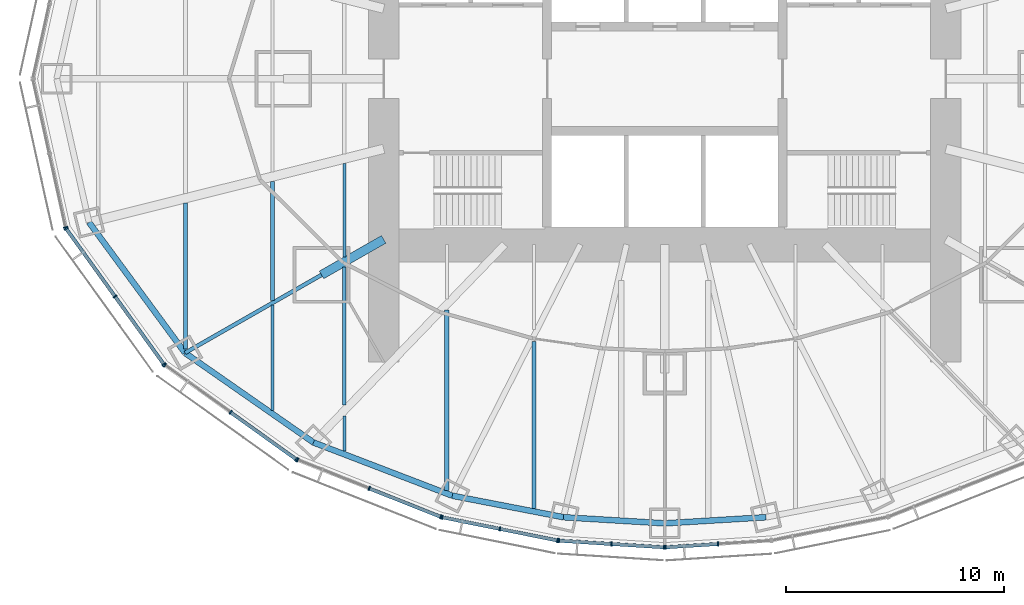
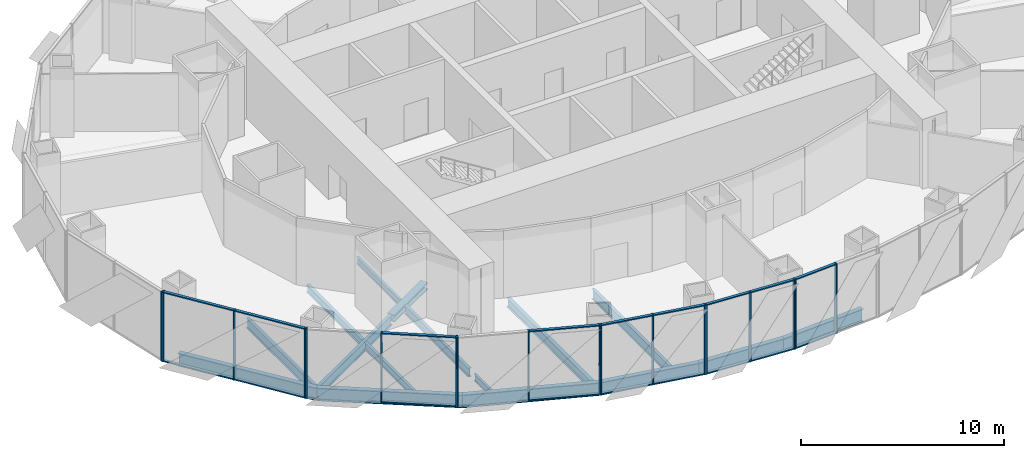
# One storey, part 2 of 18: 36 members, 16 beams, 7 elements without a shape of their own.
"""IFC4 building model written with IfcOpenShell, lengths in metres."""

from ifc_helpers import new_model, si_unit, direction, frame, origin, origin_2d, place, context, subcontext, project, spatial, rectangle, i_section, extrude, material, material_profile, profile_set, type_object, element, aggregate, save


model = new_model("IFC4")

# Units and contexts
model_context = context("Model", 3, precision=1e-05, world=origin(), true_north=direction((0.0, 1.0)))
body_context = subcontext(model_context, "Body", "Model", "MODEL_VIEW")
ifc_project = project(units=[si_unit("LENGTHUNIT", "METRE"), si_unit("AREAUNIT", "SQUARE_METRE"), si_unit("VOLUMEUNIT", "CUBIC_METRE"), si_unit("PLANEANGLEUNIT", "RADIAN"), si_unit("MASSUNIT", "GRAM", prefix="KILO")], contexts=[model_context])

# Site, building, storey
site_placement = place(None, origin())
site = spatial("IfcSite", under=ifc_project, at=site_placement, CompositionType="ELEMENT")
building_placement = place(site_placement, origin())
building = spatial("IfcBuilding", under=site, at=building_placement, Name="Lantaw Convention Tower", CompositionType="ELEMENT")
storey_placement = place(building_placement, frame((0.0, 0.0, 134.199951171875)))
storey = spatial("IfcBuildingStorey", under=building, at=storey_placement, Name="L31", CompositionType="ELEMENT", Elevation=134.199951171875)

# Beams
ifc_material_1 = material(Name="Steel ASTM A992", Category="steel")
ifc_material_profile_1 = material_profile(ifc_material_1, i_section(OverallWidth=0.2666015625, OverallDepth=0.76953125, WebThickness=0.015625, FlangeThickness=0.025390625, FilletRadius=0.0126953125, at=origin_2d()), Name="W30X132")
ifc_profile_set_1 = profile_set([ifc_material_profile_1], Name="Steel ASTM A992")
beam_type_1 = type_object("IfcBeamType", Name="Beam E W30X132", PredefinedType="SPANDREL", material=ifc_profile_set_1)
beam_1_placement = place(storey_placement, frame((-26.419921875, -6.587158203125, -0.53466796875), z_axis=(0.5923891972, -0.805651934176, 0.0), x_axis=(0.805651934176, 0.5923891972, 0.0)))
element("IfcBeam", 1, at=beam_1_placement, inside=storey, type_object=beam_type_1, Name="Edge beam 14", PredefinedType="SPANDREL", context=body_context, shape_type="SweptSolid", body=[
    extrude(i_section(OverallWidth=0.2666015625, OverallDepth=0.76953125, WebThickness=0.015625, FlangeThickness=0.025390625, FilletRadius=0.0126953125, at=origin_2d()), origin(), (0.0, 0.0, 1.0), 7.437744140625),
])
beam_2_placement = place(storey_placement, frame((-22.013916015625, -12.579345703125, -0.53466796875), z_axis=(0.820310765287, -0.57191804339, 0.0), x_axis=(0.57191804339, 0.820310765287, 0.0)))
element("IfcBeam", 2, at=beam_2_placement, inside=storey, type_object=beam_type_1, Name="Edge beam 15", PredefinedType="SPANDREL", context=body_context, shape_type="SweptSolid", body=[
    extrude(i_section(OverallWidth=0.2666015625, OverallDepth=0.76953125, WebThickness=0.015625, FlangeThickness=0.025390625, FilletRadius=0.0126953125, at=origin_2d()), origin(), (0.0, 0.0, 1.0), 7.187744140625),
])
beam_3_placement = place(storey_placement, frame((-16.11767578125, -16.690185546875, -0.53466796875), z_axis=(0.933691081977, -0.358079549033, 0.0), x_axis=(0.358079549033, 0.933691081977, 0.0)))
element("IfcBeam", 3, at=beam_3_placement, inside=storey, type_object=beam_type_1, Name="Edge beam 16", PredefinedType="SPANDREL", context=body_context, shape_type="SweptSolid", body=[
    extrude(i_section(OverallWidth=0.2666015625, OverallDepth=0.76953125, WebThickness=0.015625, FlangeThickness=0.025390625, FilletRadius=0.0126953125, at=origin_2d()), origin(), (0.0, 0.0, 1.0), 6.821533203125),
])
beam_4_placement = place(storey_placement, frame((-9.74853515625, -19.1328125, -0.53466796875), z_axis=(0.981796805654, -0.189934284446, 0.0), x_axis=(0.189934284446, 0.981796805654, 0.0)))
element("IfcBeam", 4, at=beam_4_placement, inside=storey, type_object=beam_type_1, Name="Edge beam 17", PredefinedType="SPANDREL", context=body_context, shape_type="SweptSolid", body=[
    extrude(i_section(OverallWidth=0.2666015625, OverallDepth=0.76953125, WebThickness=0.015625, FlangeThickness=0.025390625, FilletRadius=0.0126953125, at=origin_2d()), origin(), (0.0, 0.0, 1.0), 5.1982421875),
])
for number, where, z_axis, x_axis, name in (
    (5, (-4.64501953125, -20.1201171875, -0.53466796875), (0.998190892054, -0.06012439621, 0.0), (0.06012439621, 0.998190892054, 0.0), "Edge beam 18"),
    (6, (0.0, -20.39990234375, -0.53466796875), (0.998190892054, 0.06012439621, 0.0), (-0.06012439621, 0.998190892054, 0.0), "Edge beam 19"),
):
    element("IfcBeam", number, at=place(storey_placement, frame(where, z_axis=z_axis, x_axis=x_axis)), inside=storey, type_object=beam_type_1, Name=name, PredefinedType="SPANDREL", context=body_context, shape_type="SweptSolid", body=[
        extrude(i_section(OverallWidth=0.2666015625, OverallDepth=0.76953125, WebThickness=0.015625, FlangeThickness=0.025390625, FilletRadius=0.0126953125, at=origin_2d()), origin(), (0.0, 0.0, 1.0), 4.6533203125),
    ])
ifc_material_profile_2 = material_profile(ifc_material_1, i_section(OverallWidth=0.177978515625, OverallDepth=0.599365234375, WebThickness=0.010009765625, FlangeThickness=0.012939453125, FilletRadius=0.012939453125, at=origin_2d()), Name="W24X55")
ifc_profile_set_2 = profile_set([ifc_material_profile_2], Name="Steel ASTM A992")
beam_type_2 = type_object("IfcBeamType", Name="Beam G W24X55", PredefinedType="BEAM", material=ifc_profile_set_2)
beam_5_placement = place(storey_placement, frame((-15.75, -9.0, -0.44970703125), z_axis=(-0.868245224608, -0.496135293993, 0.0), x_axis=(0.496135293993, -0.868245224608, 0.0)))
element("IfcBeam", 7, at=beam_5_placement, inside=storey, type_object=beam_type_2, Name="Floor girder on ray 15", PredefinedType="BEAM", context=body_context, shape_type="SweptSolid", body=[
    extrude(i_section(OverallWidth=0.177978515625, OverallDepth=0.599365234375, WebThickness=0.010009765625, FlangeThickness=0.012939453125, FilletRadius=0.012939453125, at=origin_2d()), origin(), (0.0, 0.0, 1.0), 7.21435546875),
])
ifc_material_profile_3 = material_profile(ifc_material_1, i_section(OverallWidth=0.40380859375, OverallDepth=0.406494140625, WebThickness=0.027099609375, FlangeThickness=0.043701171875, FilletRadius=0.01513671875, at=origin_2d()), Name="W14X233")
ifc_profile_set_3 = profile_set([ifc_material_profile_3], Name="Steel ASTM A992")
beam_type_3 = type_object("IfcBeamType", Name="Beam GM W14X233", PredefinedType="BEAM", material=ifc_profile_set_3)
beam_6_placement = place(storey_placement, frame((-12.89990234375, -7.371337890625, -0.353271484375), z_axis=(-0.868238565244, -0.496146947811, 0.0), x_axis=(0.496146947811, -0.868238565244, 0.0)))
element("IfcBeam", 8, at=beam_6_placement, inside=storey, type_object=beam_type_3, Name="Core link beam on ray 15", PredefinedType="BEAM", context=body_context, shape_type="SweptSolid", body=[
    extrude(i_section(OverallWidth=0.40380859375, OverallDepth=0.406494140625, WebThickness=0.027099609375, FlangeThickness=0.043701171875, FilletRadius=0.01513671875, at=origin_2d()), origin(), (0.0, 0.0, 1.0), 3.28271484375),
])
ifc_material_profile_4 = material_profile(ifc_material_1, i_section(OverallWidth=0.140380859375, OverallDepth=0.40380859375, WebThickness=0.007080078125, FlangeThickness=0.01123046875, FilletRadius=0.01025390625, at=origin_2d()), Name="W16X31")
ifc_profile_set_4 = profile_set([ifc_material_profile_4], Name="Steel ASTM A992")
beam_type_4 = type_object("IfcBeamType", Name="Beam J W16X31", PredefinedType="JOIST", material=ifc_profile_set_4)
beam_7_placement = place(storey_placement, frame((-14.699951171875, -17.091064453125, -0.351806640625), z_axis=(0.0, 1.0, 0.0), x_axis=(-1.0, 0.0, 0.0)))
element("IfcBeam", 9, at=beam_7_placement, inside=storey, type_object=beam_type_4, Name="Floor joist", PredefinedType="JOIST", context=body_context, shape_type="SweptSolid", body=[
    extrude(i_section(OverallWidth=0.140380859375, OverallDepth=0.40380859375, WebThickness=0.007080078125, FlangeThickness=0.01123046875, FilletRadius=0.01025390625, at=origin_2d()), origin(), (0.0, 0.0, 1.0), 1.609130859375),
])
beam_8_placement = place(storey_placement, frame((-14.699951171875, -8.16748046875, -0.351806640625), z_axis=(0.0, 1.0, 0.0), x_axis=(-1.0, 0.0, 0.0)))
element("IfcBeam", 10, at=beam_8_placement, inside=storey, type_object=beam_type_4, Name="Floor joist", PredefinedType="JOIST", context=body_context, shape_type="SweptSolid", body=[
    extrude(i_section(OverallWidth=0.140380859375, OverallDepth=0.40380859375, WebThickness=0.007080078125, FlangeThickness=0.01123046875, FilletRadius=0.01025390625, at=origin_2d()), origin(), (0.0, 0.0, 1.0), 4.28515625),
])
ifc_material_profile_5 = material_profile(ifc_material_1, i_section(OverallWidth=0.15234375, OverallDepth=0.449462890625, WebThickness=0.007568359375, FlangeThickness=0.0107421875, FilletRadius=0.01025390625, at=origin_2d()), Name="W18X35")
ifc_profile_set_5 = profile_set([ifc_material_profile_5], Name="Steel ASTM A992")
beam_type_5 = type_object("IfcBeamType", Name="Beam J W18X35", PredefinedType="JOIST", material=ifc_profile_set_5)
beam_9_placement = place(storey_placement, frame((-18.0, -15.21533203125, -0.374755859375), z_axis=(0.0, 1.0, 0.0), x_axis=(-1.0, 0.0, 0.0)))
element("IfcBeam", 11, at=beam_9_placement, inside=storey, type_object=beam_type_5, Name="Floor joist", PredefinedType="JOIST", context=body_context, shape_type="SweptSolid", body=[
    extrude(i_section(OverallWidth=0.15234375, OverallDepth=0.449462890625, WebThickness=0.007568359375, FlangeThickness=0.0107421875, FilletRadius=0.01025390625, at=origin_2d()), origin(), (0.0, 0.0, 1.0), 4.8271484375),
])
ifc_material_profile_6 = material_profile(ifc_material_1, i_section(OverallWidth=0.1904296875, OverallDepth=0.457275390625, WebThickness=0.009033203125, FlangeThickness=0.014404296875, FilletRadius=0.01025390625, at=origin_2d()), Name="W18X50")
ifc_profile_set_6 = profile_set([ifc_material_profile_6], Name="Steel ASTM A992")
beam_type_6 = type_object("IfcBeamType", Name="Beam J W18X50", PredefinedType="JOIST", material=ifc_profile_set_6)
beam_10_placement = place(storey_placement, frame((-18.0, -10.18310546875, -0.378662109375), z_axis=(0.0, 1.0, 0.0), x_axis=(-1.0, 0.0, 0.0)))
element("IfcBeam", 12, at=beam_10_placement, inside=storey, type_object=beam_type_6, Name="Floor joist", PredefinedType="JOIST", context=body_context, shape_type="SweptSolid", body=[
    extrude(i_section(OverallWidth=0.1904296875, OverallDepth=0.457275390625, WebThickness=0.009033203125, FlangeThickness=0.014404296875, FilletRadius=0.01025390625, at=origin_2d()), origin(), (0.0, 0.0, 1.0), 5.47802734375),
])
ifc_material_profile_7 = material_profile(ifc_material_1, i_section(OverallWidth=0.1650390625, OverallDepth=0.52587890625, WebThickness=0.0087890625, FlangeThickness=0.011474609375, FilletRadius=0.0126953125, at=origin_2d()), Name="W21X44")
ifc_profile_set_7 = profile_set([ifc_material_profile_7], Name="Steel ASTM A992")
beam_type_7 = type_object("IfcBeamType", Name="Beam J W21X44", PredefinedType="JOIST", material=ifc_profile_set_7)
beam_11_placement = place(storey_placement, frame((-14.699951171875, -14.962646484375, -0.412841796875), z_axis=(0.0, 1.0, 0.0), x_axis=(-1.0, 0.0, 0.0)))
element("IfcBeam", 13, at=beam_11_placement, inside=storey, type_object=beam_type_7, Name="Floor joist", PredefinedType="JOIST", context=body_context, shape_type="SweptSolid", body=[
    extrude(i_section(OverallWidth=0.1650390625, OverallDepth=0.52587890625, WebThickness=0.0087890625, FlangeThickness=0.011474609375, FilletRadius=0.0126953125, at=origin_2d()), origin(), (0.0, 0.0, 1.0), 6.330078125),
])
ifc_material_profile_8 = material_profile(ifc_material_1, i_section(OverallWidth=0.2099609375, OverallDepth=0.535888671875, WebThickness=0.010986328125, FlangeThickness=0.017333984375, FilletRadius=0.012939453125, at=origin_2d()), Name="W21X68")
ifc_profile_set_8 = profile_set([ifc_material_profile_8], Name="Steel ASTM A992")
beam_type_8 = type_object("IfcBeamType", Name="Beam J W21X68", PredefinedType="JOIST", material=ifc_profile_set_8)
beam_12_placement = place(storey_placement, frame((-10.0, -18.8935546875, -0.41796875), z_axis=(0.0, 1.0, 0.0), x_axis=(-1.0, 0.0, 0.0)))
element("IfcBeam", 14, at=beam_12_placement, inside=storey, type_object=beam_type_8, Name="Floor joist", PredefinedType="JOIST", context=body_context, shape_type="SweptSolid", body=[
    extrude(i_section(OverallWidth=0.2099609375, OverallDepth=0.535888671875, WebThickness=0.010986328125, FlangeThickness=0.017333984375, FilletRadius=0.012939453125, at=origin_2d()), origin(), (0.0, 0.0, 1.0), 8.278564453125),
])
ifc_material_profile_9 = material_profile(ifc_material_1, i_section(OverallWidth=0.177978515625, OverallDepth=0.599365234375, WebThickness=0.010009765625, FlangeThickness=0.012939453125, FilletRadius=0.012939453125, at=origin_2d()), Name="W24X55")
ifc_profile_set_9 = profile_set([ifc_material_profile_9], Name="Steel ASTM A992")
beam_type_9 = type_object("IfcBeamType", Name="Beam J W24X55", PredefinedType="JOIST", material=ifc_profile_set_9)
beam_13_placement = place(storey_placement, frame((-22.0, -12.408935546875, -0.44970703125), z_axis=(0.0, 1.0, 0.0), x_axis=(-1.0, 0.0, 0.0)))
element("IfcBeam", 15, at=beam_13_placement, inside=storey, type_object=beam_type_9, Name="Floor joist", PredefinedType="JOIST", context=body_context, shape_type="SweptSolid", body=[
    extrude(i_section(OverallWidth=0.177978515625, OverallDepth=0.599365234375, WebThickness=0.010009765625, FlangeThickness=0.012939453125, FilletRadius=0.012939453125, at=origin_2d()), origin(), (0.0, 0.0, 1.0), 6.70654296875),
])
beam_14_placement = place(storey_placement, frame((-6.0, -19.72216796875, -0.44970703125), z_axis=(0.0, 1.0, 0.0), x_axis=(-1.0, 0.0, 0.0)))
element("IfcBeam", 16, at=beam_14_placement, inside=storey, type_object=beam_type_9, Name="Floor joist", PredefinedType="JOIST", context=body_context, shape_type="SweptSolid", body=[
    extrude(i_section(OverallWidth=0.177978515625, OverallDepth=0.599365234375, WebThickness=0.010009765625, FlangeThickness=0.012939453125, FilletRadius=0.012939453125, at=origin_2d()), origin(), (0.0, 0.0, 1.0), 7.666748046875),
])

# Curtain wall, member
ifc_material_2 = material(Name="Aluminium framed curtain wall", Category="aluminium")
curtain_wall_type = type_object("IfcCurtainWallType", Name="Office curtain wall low rise, pale aluminium", PredefinedType="USERDEFINED", material=ifc_material_2)
curtain_wall_1_placement = place(storey_placement, origin())
curtain_wall_1 = element("IfcCurtainWall", 17, at=curtain_wall_1_placement, inside=storey, type_object=curtain_wall_type, Name="Office curtain wall low rise, pale aluminium L31", ObjectType="UNITISED CURTAIN WALL", PredefinedType="USERDEFINED")
ifc_material_3 = material(Name="Aluminium 6063-T6", Category="aluminium")
ifc_material_profile_10 = material_profile(ifc_material_3, rectangle(XDim=0.199951171875, YDim=0.06494140625, at=origin_2d()), Name="CW-O1 mullion 65x200")
ifc_profile_set_10 = profile_set([ifc_material_profile_10], Name="Aluminium 6063-T6")
member_type_1 = type_object("IfcMemberType", Name="CW-O1 mullion 65x200", PredefinedType="MULLION", material=ifc_profile_set_10)
member_1_placement = place(storey_placement, frame((-27.494140625, -6.821533203125, -0.14990234375), z_axis=(0.0, 0.0, 1.0), x_axis=(0.9764936509, 0.215546166174, 0.0)))
member_1 = element("IfcMember", 18, at=member_1_placement, type_object=member_type_1, Name="CW-O1 mullion 3", PredefinedType="MULLION", context=body_context, shape_type="SweptSolid", body=[
    extrude(rectangle(XDim=0.199951171875, YDim=0.06494140625, at=origin_2d()), origin(), (0.0, 0.0, 1.0), 4.199951171875),
])
aggregate(curtain_wall_1, [member_1])

# Curtain wall, members
curtain_wall_2_placement = place(storey_placement, origin())
curtain_wall_2 = element("IfcCurtainWall", 19, at=curtain_wall_2_placement, inside=storey, type_object=curtain_wall_type, Name="Office curtain wall low rise, pale aluminium L31", ObjectType="UNITISED CURTAIN WALL", PredefinedType="USERDEFINED")
member_2_placement = place(storey_placement, frame((-27.46826171875, -6.879638671875, -0.14990234375), z_axis=(0.0, 0.0, 1.0), x_axis=(0.811384633629, 0.584512597221, 0.0)))
member_2 = element("IfcMember", 20, at=member_2_placement, type_object=member_type_1, Name="CW-O1 mullion 1", PredefinedType="MULLION", context=body_context, shape_type="SweptSolid", body=[
    extrude(rectangle(XDim=0.199951171875, YDim=0.06494140625, at=origin_2d()), origin(), (0.0, 0.0, 1.0), 4.199951171875),
])
member_3_placement = place(storey_placement, frame((-25.22802734375, -9.9892578125, -0.14990234375), z_axis=(0.0, 0.0, 1.0), x_axis=(0.811384633629, 0.584512597221, 0.0)))
member_3 = element("IfcMember", 21, at=member_3_placement, type_object=member_type_1, Name="CW-O1 mullion 2", PredefinedType="MULLION", context=body_context, shape_type="SweptSolid", body=[
    extrude(rectangle(XDim=0.199951171875, YDim=0.06494140625, at=origin_2d()), origin(), (0.0, 0.0, 1.0), 4.199951171875),
])
member_4_placement = place(storey_placement, frame((-22.988037109375, -13.098876953125, -0.14990234375), z_axis=(0.0, 0.0, 1.0), x_axis=(0.811384633629, 0.584512597221, 0.0)))
member_4 = element("IfcMember", 22, at=member_4_placement, type_object=member_type_1, Name="CW-O1 mullion 3", PredefinedType="MULLION", context=body_context, shape_type="SweptSolid", body=[
    extrude(rectangle(XDim=0.199951171875, YDim=0.06494140625, at=origin_2d()), origin(), (0.0, 0.0, 1.0), 4.199951171875),
])

curtain_wall_3_placement = place(storey_placement, origin())
curtain_wall_3 = element("IfcCurtainWall", 23, at=curtain_wall_3_placement, inside=storey, type_object=curtain_wall_type, Name="Office curtain wall low rise, pale aluminium L31", ObjectType="UNITISED CURTAIN WALL", PredefinedType="USERDEFINED")
member_5_placement = place(storey_placement, frame((-22.942626953125, -13.14404296875, -0.14990234375), z_axis=(0.0, 0.0, 1.0), x_axis=(0.581972695693, 0.813208325995, 0.0)))
member_5 = element("IfcMember", 24, at=member_5_placement, type_object=member_type_1, Name="CW-O1 mullion 1", PredefinedType="MULLION", context=body_context, shape_type="SweptSolid", body=[
    extrude(rectangle(XDim=0.199951171875, YDim=0.06494140625, at=origin_2d()), origin(), (0.0, 0.0, 1.0), 4.199951171875),
])
member_6_placement = place(storey_placement, frame((-19.92529296875, -15.303466796875, -0.14990234375), z_axis=(0.0, 0.0, 1.0), x_axis=(0.581972695693, 0.813208325995, 0.0)))
member_6 = element("IfcMember", 25, at=member_6_placement, type_object=member_type_1, Name="CW-O1 mullion 2", PredefinedType="MULLION", context=body_context, shape_type="SweptSolid", body=[
    extrude(rectangle(XDim=0.199951171875, YDim=0.06494140625, at=origin_2d()), origin(), (0.0, 0.0, 1.0), 4.199951171875),
])
member_7_placement = place(storey_placement, frame((-16.908203125, -17.462646484375, -0.14990234375), z_axis=(0.0, 0.0, 1.0), x_axis=(0.581972695693, 0.813208325995, 0.0)))
member_7 = element("IfcMember", 26, at=member_7_placement, type_object=member_type_1, Name="CW-O1 mullion 3", PredefinedType="MULLION", context=body_context, shape_type="SweptSolid", body=[
    extrude(rectangle(XDim=0.199951171875, YDim=0.06494140625, at=origin_2d()), origin(), (0.0, 0.0, 1.0), 4.199951171875),
])

curtain_wall_4_placement = place(storey_placement, origin())
curtain_wall_4 = element("IfcCurtainWall", 27, at=curtain_wall_4_placement, inside=storey, type_object=curtain_wall_type, Name="Office curtain wall low rise, pale aluminium L31", ObjectType="UNITISED CURTAIN WALL", PredefinedType="USERDEFINED")
member_8_placement = place(storey_placement, frame((-16.8515625, -17.49365234375, -0.14990234375), z_axis=(0.0, 0.0, 1.0), x_axis=(0.368701907483, 0.929547687544, 0.0)))
member_8 = element("IfcMember", 28, at=member_8_placement, type_object=member_type_1, Name="CW-O1 mullion 1", PredefinedType="MULLION", context=body_context, shape_type="SweptSolid", body=[
    extrude(rectangle(XDim=0.199951171875, YDim=0.06494140625, at=origin_2d()), origin(), (0.0, 0.0, 1.0), 4.199951171875),
])
member_9_placement = place(storey_placement, frame((-13.56494140625, -18.797119140625, -0.14990234375), z_axis=(0.0, 0.0, 1.0), x_axis=(0.368701907483, 0.929547687544, 0.0)))
member_9 = element("IfcMember", 29, at=member_9_placement, type_object=member_type_1, Name="CW-O1 mullion 2", PredefinedType="MULLION", context=body_context, shape_type="SweptSolid", body=[
    extrude(rectangle(XDim=0.199951171875, YDim=0.06494140625, at=origin_2d()), origin(), (0.0, 0.0, 1.0), 4.199951171875),
])
member_10_placement = place(storey_placement, frame((-10.2783203125, -20.100830078125, -0.14990234375), z_axis=(0.0, 0.0, 1.0), x_axis=(0.368701907483, 0.929547687544, 0.0)))
member_10 = element("IfcMember", 30, at=member_10_placement, type_object=member_type_1, Name="CW-O1 mullion 3", PredefinedType="MULLION", context=body_context, shape_type="SweptSolid", body=[
    extrude(rectangle(XDim=0.199951171875, YDim=0.06494140625, at=origin_2d()), origin(), (0.0, 0.0, 1.0), 4.199951171875),
])

curtain_wall_5_placement = place(storey_placement, origin())
curtain_wall_5 = element("IfcCurtainWall", 31, at=curtain_wall_5_placement, inside=storey, type_object=curtain_wall_type, Name="Office curtain wall low rise, pale aluminium L31", ObjectType="UNITISED CURTAIN WALL", PredefinedType="USERDEFINED")
member_11_placement = place(storey_placement, frame((-10.216064453125, -20.119140625, -0.14990234375), z_axis=(0.0, 0.0, 1.0), x_axis=(0.197506809659, 0.980301514912, 0.0)))
member_11 = element("IfcMember", 32, at=member_11_placement, type_object=member_type_1, Name="CW-O1 mullion 1", PredefinedType="MULLION", context=body_context, shape_type="SweptSolid", body=[
    extrude(rectangle(XDim=0.199951171875, YDim=0.06494140625, at=origin_2d()), origin(), (0.0, 0.0, 1.0), 4.199951171875),
])
member_12_placement = place(storey_placement, frame((-7.5703125, -20.65234375, -0.14990234375), z_axis=(0.0, 0.0, 1.0), x_axis=(0.197506809659, 0.980301514912, 0.0)))
member_12 = element("IfcMember", 33, at=member_12_placement, type_object=member_type_1, Name="CW-O1 mullion 2", PredefinedType="MULLION", context=body_context, shape_type="SweptSolid", body=[
    extrude(rectangle(XDim=0.199951171875, YDim=0.06494140625, at=origin_2d()), origin(), (0.0, 0.0, 1.0), 4.199951171875),
])
member_13_placement = place(storey_placement, frame((-4.92431640625, -21.185302734375, -0.14990234375), z_axis=(0.0, 0.0, 1.0), x_axis=(0.197506809659, 0.980301514912, 0.0)))
member_13 = element("IfcMember", 34, at=member_13_placement, type_object=member_type_1, Name="CW-O1 mullion 3", PredefinedType="MULLION", context=body_context, shape_type="SweptSolid", body=[
    extrude(rectangle(XDim=0.199951171875, YDim=0.06494140625, at=origin_2d()), origin(), (0.0, 0.0, 1.0), 4.199951171875),
])

curtain_wall_6_placement = place(storey_placement, origin())
curtain_wall_6 = element("IfcCurtainWall", 35, at=curtain_wall_6_placement, inside=storey, type_object=curtain_wall_type, Name="Office curtain wall low rise, pale aluminium L31", ObjectType="UNITISED CURTAIN WALL", PredefinedType="USERDEFINED")
member_14_placement = place(storey_placement, frame((-4.860107421875, -21.19384765625, -0.14990234375), z_axis=(0.0, 0.0, 1.0), x_axis=(0.062865059466, 0.998022035978, 0.0)))
member_14 = element("IfcMember", 36, at=member_14_placement, type_object=member_type_1, Name="CW-O1 mullion 1", PredefinedType="MULLION", context=body_context, shape_type="SweptSolid", body=[
    extrude(rectangle(XDim=0.199951171875, YDim=0.06494140625, at=origin_2d()), origin(), (0.0, 0.0, 1.0), 4.199951171875),
])
member_15_placement = place(storey_placement, frame((-2.4462890625, -21.345947265625, -0.14990234375), z_axis=(0.0, 0.0, 1.0), x_axis=(0.062865059466, 0.998022035978, 0.0)))
member_15 = element("IfcMember", 37, at=member_15_placement, type_object=member_type_1, Name="CW-O1 mullion 2", PredefinedType="MULLION", context=body_context, shape_type="SweptSolid", body=[
    extrude(rectangle(XDim=0.199951171875, YDim=0.06494140625, at=origin_2d()), origin(), (0.0, 0.0, 1.0), 4.199951171875),
])
member_16_placement = place(storey_placement, frame((-0.032470703125, -21.498046875, -0.14990234375), z_axis=(0.0, 0.0, 1.0), x_axis=(0.062865059466, 0.998022035978, 0.0)))
member_16 = element("IfcMember", 38, at=member_16_placement, type_object=member_type_1, Name="CW-O1 mullion 3", PredefinedType="MULLION", context=body_context, shape_type="SweptSolid", body=[
    extrude(rectangle(XDim=0.199951171875, YDim=0.06494140625, at=origin_2d()), origin(), (0.0, 0.0, 1.0), 4.199951171875),
])

curtain_wall_7_placement = place(storey_placement, origin())
curtain_wall_7 = element("IfcCurtainWall", 39, at=curtain_wall_7_placement, inside=storey, type_object=curtain_wall_type, Name="Office curtain wall low rise, pale aluminium L31", ObjectType="UNITISED CURTAIN WALL", PredefinedType="USERDEFINED")
member_17_placement = place(storey_placement, frame((0.032470703125, -21.498046875, -0.14990234375), z_axis=(0.0, 0.0, 1.0), x_axis=(-0.062865059466, 0.998022035978, 0.0)))
member_17 = element("IfcMember", 40, at=member_17_placement, type_object=member_type_1, Name="CW-O1 mullion 1", PredefinedType="MULLION", context=body_context, shape_type="SweptSolid", body=[
    extrude(rectangle(XDim=0.199951171875, YDim=0.06494140625, at=origin_2d()), origin(), (0.0, 0.0, 1.0), 4.199951171875),
])
member_18_placement = place(storey_placement, frame((2.4462890625, -21.345947265625, -0.14990234375), z_axis=(0.0, 0.0, 1.0), x_axis=(-0.062865059466, 0.998022035978, 0.0)))
member_18 = element("IfcMember", 41, at=member_18_placement, type_object=member_type_1, Name="CW-O1 mullion 2", PredefinedType="MULLION", context=body_context, shape_type="SweptSolid", body=[
    extrude(rectangle(XDim=0.199951171875, YDim=0.06494140625, at=origin_2d()), origin(), (0.0, 0.0, 1.0), 4.199951171875),
])

# Member
ifc_material_profile_11 = material_profile(ifc_material_3, rectangle(XDim=0.159912109375, YDim=0.06494140625, at=origin_2d()), Name="CW-O1 transom 65x160")
ifc_profile_set_11 = profile_set([ifc_material_profile_11], Name="Aluminium 6063-T6")
member_type_2 = type_object("IfcMemberType", Name="CW-O1 transom 65x160", PredefinedType="USERDEFINED", material=ifc_profile_set_11)
member_19_placement = place(storey_placement, frame((-27.44921875, -6.906005859375, -0.117431640625), z_axis=(0.584512973979, -0.811384362217, 0.0), x_axis=(0.811384362217, 0.584512973979, 0.0)))
member_19 = element("IfcMember", 42, at=member_19_placement, type_object=member_type_2, Name="CW-O1 transom 1.1", ObjectType="TRANSOM", PredefinedType="USERDEFINED", context=body_context, shape_type="SweptSolid", body=[
    extrude(rectangle(XDim=0.159912109375, YDim=0.06494140625, at=origin_2d()), origin(), (0.0, 0.0, 1.0), 3.767578125),
])

member_20_placement = place(storey_placement, frame((-27.44921875, -6.906005859375, 4.017578125), z_axis=(0.584512973979, -0.811384362217, 0.0), x_axis=(0.811384362217, 0.584512973979, 0.0)))
member_20 = element("IfcMember", 43, at=member_20_placement, type_object=member_type_2, Name="CW-O1 transom 1.2", ObjectType="TRANSOM", PredefinedType="USERDEFINED", context=body_context, shape_type="SweptSolid", body=[
    extrude(rectangle(XDim=0.159912109375, YDim=0.06494140625, at=origin_2d()), origin(), (0.0, 0.0, 1.0), 3.767578125),
])

member_21_placement = place(storey_placement, frame((-25.209228515625, -10.015625, -0.117431640625), z_axis=(0.584512973979, -0.811384362217, 0.0), x_axis=(0.811384362217, 0.584512973979, 0.0)))
member_21 = element("IfcMember", 44, at=member_21_placement, type_object=member_type_2, Name="CW-O1 transom 2.1", ObjectType="TRANSOM", PredefinedType="USERDEFINED", context=body_context, shape_type="SweptSolid", body=[
    extrude(rectangle(XDim=0.159912109375, YDim=0.06494140625, at=origin_2d()), origin(), (0.0, 0.0, 1.0), 3.767578125),
])

member_22_placement = place(storey_placement, frame((-25.209228515625, -10.015625, 4.017578125), z_axis=(0.584512973979, -0.811384362217, 0.0), x_axis=(0.811384362217, 0.584512973979, 0.0)))
member_22 = element("IfcMember", 45, at=member_22_placement, type_object=member_type_2, Name="CW-O1 transom 2.2", ObjectType="TRANSOM", PredefinedType="USERDEFINED", context=body_context, shape_type="SweptSolid", body=[
    extrude(rectangle(XDim=0.159912109375, YDim=0.06494140625, at=origin_2d()), origin(), (0.0, 0.0, 1.0), 3.767578125),
])

aggregate(curtain_wall_2, [member_2, member_3, member_4, member_19, member_20, member_21, member_22])

member_23_placement = place(storey_placement, frame((-19.89892578125, -15.322265625, -0.117431640625), z_axis=(0.813190089133, -0.581998177777, 0.0), x_axis=(0.581998177777, 0.813190089133, 0.0)))
member_23 = element("IfcMember", 46, at=member_23_placement, type_object=member_type_2, Name="CW-O1 transom 2.1", ObjectType="TRANSOM", PredefinedType="USERDEFINED", context=body_context, shape_type="SweptSolid", body=[
    extrude(rectangle(XDim=0.159912109375, YDim=0.06494140625, at=origin_2d()), origin(), (0.0, 0.0, 1.0), 3.645263671875),
])

member_24_placement = place(storey_placement, frame((-19.89892578125, -15.322265625, 4.017578125), z_axis=(0.813190089133, -0.581998177777, 0.0), x_axis=(0.581998177777, 0.813190089133, 0.0)))
member_24 = element("IfcMember", 47, at=member_24_placement, type_object=member_type_2, Name="CW-O1 transom 2.2", ObjectType="TRANSOM", PredefinedType="USERDEFINED", context=body_context, shape_type="SweptSolid", body=[
    extrude(rectangle(XDim=0.159912109375, YDim=0.06494140625, at=origin_2d()), origin(), (0.0, 0.0, 1.0), 3.645263671875),
])

aggregate(curtain_wall_3, [member_5, member_6, member_7, member_23, member_24])

member_25_placement = place(storey_placement, frame((-13.53466796875, -18.80908203125, -0.117431640625), z_axis=(0.929540081544, -0.368721082668, 0.0), x_axis=(0.368721082668, 0.929540081544, 0.0)))
member_25 = element("IfcMember", 48, at=member_25_placement, type_object=member_type_2, Name="CW-O1 transom 2.1", ObjectType="TRANSOM", PredefinedType="USERDEFINED", context=body_context, shape_type="SweptSolid", body=[
    extrude(rectangle(XDim=0.159912109375, YDim=0.06494140625, at=origin_2d()), origin(), (0.0, 0.0, 1.0), 3.470947265625),
])

member_26_placement = place(storey_placement, frame((-13.53466796875, -18.80908203125, 4.017578125), z_axis=(0.929540081544, -0.368721082668, 0.0), x_axis=(0.368721082668, 0.929540081544, 0.0)))
member_26 = element("IfcMember", 49, at=member_26_placement, type_object=member_type_2, Name="CW-O1 transom 2.2", ObjectType="TRANSOM", PredefinedType="USERDEFINED", context=body_context, shape_type="SweptSolid", body=[
    extrude(rectangle(XDim=0.159912109375, YDim=0.06494140625, at=origin_2d()), origin(), (0.0, 0.0, 1.0), 3.470947265625),
])

aggregate(curtain_wall_4, [member_8, member_9, member_10, member_25, member_26])

member_27_placement = place(storey_placement, frame((-10.184326171875, -20.125732421875, -0.117431640625), z_axis=(0.980301643003, -0.197506173891, 0.0), x_axis=(0.197506173891, 0.980301643003, 0.0)))
member_27 = element("IfcMember", 50, at=member_27_placement, type_object=member_type_2, Name="CW-O1 transom 1.1", ObjectType="TRANSOM", PredefinedType="USERDEFINED", context=body_context, shape_type="SweptSolid", body=[
    extrude(rectangle(XDim=0.159912109375, YDim=0.06494140625, at=origin_2d()), origin(), (0.0, 0.0, 1.0), 2.63427734375),
])

member_28_placement = place(storey_placement, frame((-10.184326171875, -20.125732421875, 4.017578125), z_axis=(0.980301643003, -0.197506173891, 0.0), x_axis=(0.197506173891, 0.980301643003, 0.0)))
member_28 = element("IfcMember", 51, at=member_28_placement, type_object=member_type_2, Name="CW-O1 transom 1.2", ObjectType="TRANSOM", PredefinedType="USERDEFINED", context=body_context, shape_type="SweptSolid", body=[
    extrude(rectangle(XDim=0.159912109375, YDim=0.06494140625, at=origin_2d()), origin(), (0.0, 0.0, 1.0), 2.63427734375),
])

member_29_placement = place(storey_placement, frame((-7.538330078125, -20.65869140625, -0.117431640625), z_axis=(0.980298027092, -0.197524120247, 0.0), x_axis=(0.197524120247, 0.980298027092, 0.0)))
member_29 = element("IfcMember", 52, at=member_29_placement, type_object=member_type_2, Name="CW-O1 transom 2.1", ObjectType="TRANSOM", PredefinedType="USERDEFINED", context=body_context, shape_type="SweptSolid", body=[
    extrude(rectangle(XDim=0.159912109375, YDim=0.06494140625, at=origin_2d()), origin(), (0.0, 0.0, 1.0), 2.634033203125),
])

member_30_placement = place(storey_placement, frame((-7.538330078125, -20.65869140625, 4.017578125), z_axis=(0.980298027092, -0.197524120247, 0.0), x_axis=(0.197524120247, 0.980298027092, 0.0)))
member_30 = element("IfcMember", 53, at=member_30_placement, type_object=member_type_2, Name="CW-O1 transom 2.2", ObjectType="TRANSOM", PredefinedType="USERDEFINED", context=body_context, shape_type="SweptSolid", body=[
    extrude(rectangle(XDim=0.159912109375, YDim=0.06494140625, at=origin_2d()), origin(), (0.0, 0.0, 1.0), 2.634033203125),
])

aggregate(curtain_wall_5, [member_11, member_12, member_13, member_27, member_28, member_29, member_30])

member_31_placement = place(storey_placement, frame((-4.82763671875, -21.19580078125, -0.117431640625), z_axis=(0.998022188463, -0.062862638625, 0.0), x_axis=(0.062862638625, 0.998022188463, 0.0)))
member_31 = element("IfcMember", 54, at=member_31_placement, type_object=member_type_2, Name="CW-O1 transom 1.1", ObjectType="TRANSOM", PredefinedType="USERDEFINED", context=body_context, shape_type="SweptSolid", body=[
    extrude(rectangle(XDim=0.159912109375, YDim=0.06494140625, at=origin_2d()), origin(), (0.0, 0.0, 1.0), 2.353515625),
])

member_32_placement = place(storey_placement, frame((-4.82763671875, -21.19580078125, 4.017578125), z_axis=(0.998022188463, -0.062862638625, 0.0), x_axis=(0.062862638625, 0.998022188463, 0.0)))
member_32 = element("IfcMember", 55, at=member_32_placement, type_object=member_type_2, Name="CW-O1 transom 1.2", ObjectType="TRANSOM", PredefinedType="USERDEFINED", context=body_context, shape_type="SweptSolid", body=[
    extrude(rectangle(XDim=0.159912109375, YDim=0.06494140625, at=origin_2d()), origin(), (0.0, 0.0, 1.0), 2.353515625),
])

member_33_placement = place(storey_placement, frame((-2.413818359375, -21.347900390625, -0.117431640625), z_axis=(0.998022188463, -0.062862638625, 0.0), x_axis=(0.062862638625, 0.998022188463, 0.0)))
member_33 = element("IfcMember", 56, at=member_33_placement, type_object=member_type_2, Name="CW-O1 transom 2.1", ObjectType="TRANSOM", PredefinedType="USERDEFINED", context=body_context, shape_type="SweptSolid", body=[
    extrude(rectangle(XDim=0.159912109375, YDim=0.06494140625, at=origin_2d()), origin(), (0.0, 0.0, 1.0), 2.353515625),
])

member_34_placement = place(storey_placement, frame((-2.413818359375, -21.347900390625, 4.017578125), z_axis=(0.998022188463, -0.062862638625, 0.0), x_axis=(0.062862638625, 0.998022188463, 0.0)))
member_34 = element("IfcMember", 57, at=member_34_placement, type_object=member_type_2, Name="CW-O1 transom 2.2", ObjectType="TRANSOM", PredefinedType="USERDEFINED", context=body_context, shape_type="SweptSolid", body=[
    extrude(rectangle(XDim=0.159912109375, YDim=0.06494140625, at=origin_2d()), origin(), (0.0, 0.0, 1.0), 2.353515625),
])

aggregate(curtain_wall_6, [member_14, member_15, member_16, member_31, member_32, member_33, member_34])

member_35_placement = place(storey_placement, frame((0.06494140625, -21.495849609375, -0.117431640625), z_axis=(0.998022188463, 0.062862638625, 0.0), x_axis=(-0.062862638625, 0.998022188463, 0.0)))
member_35 = element("IfcMember", 58, at=member_35_placement, type_object=member_type_2, Name="CW-O1 transom 1.1", ObjectType="TRANSOM", PredefinedType="USERDEFINED", context=body_context, shape_type="SweptSolid", body=[
    extrude(rectangle(XDim=0.159912109375, YDim=0.06494140625, at=origin_2d()), origin(), (0.0, 0.0, 1.0), 2.353515625),
])

member_36_placement = place(storey_placement, frame((0.06494140625, -21.495849609375, 4.017578125), z_axis=(0.998022188463, 0.062862638625, 0.0), x_axis=(-0.062862638625, 0.998022188463, 0.0)))
member_36 = element("IfcMember", 59, at=member_36_placement, type_object=member_type_2, Name="CW-O1 transom 1.2", ObjectType="TRANSOM", PredefinedType="USERDEFINED", context=body_context, shape_type="SweptSolid", body=[
    extrude(rectangle(XDim=0.159912109375, YDim=0.06494140625, at=origin_2d()), origin(), (0.0, 0.0, 1.0), 2.353515625),
])

aggregate(curtain_wall_7, [member_17, member_18, member_35, member_36])

save(model, "model.ifc")
